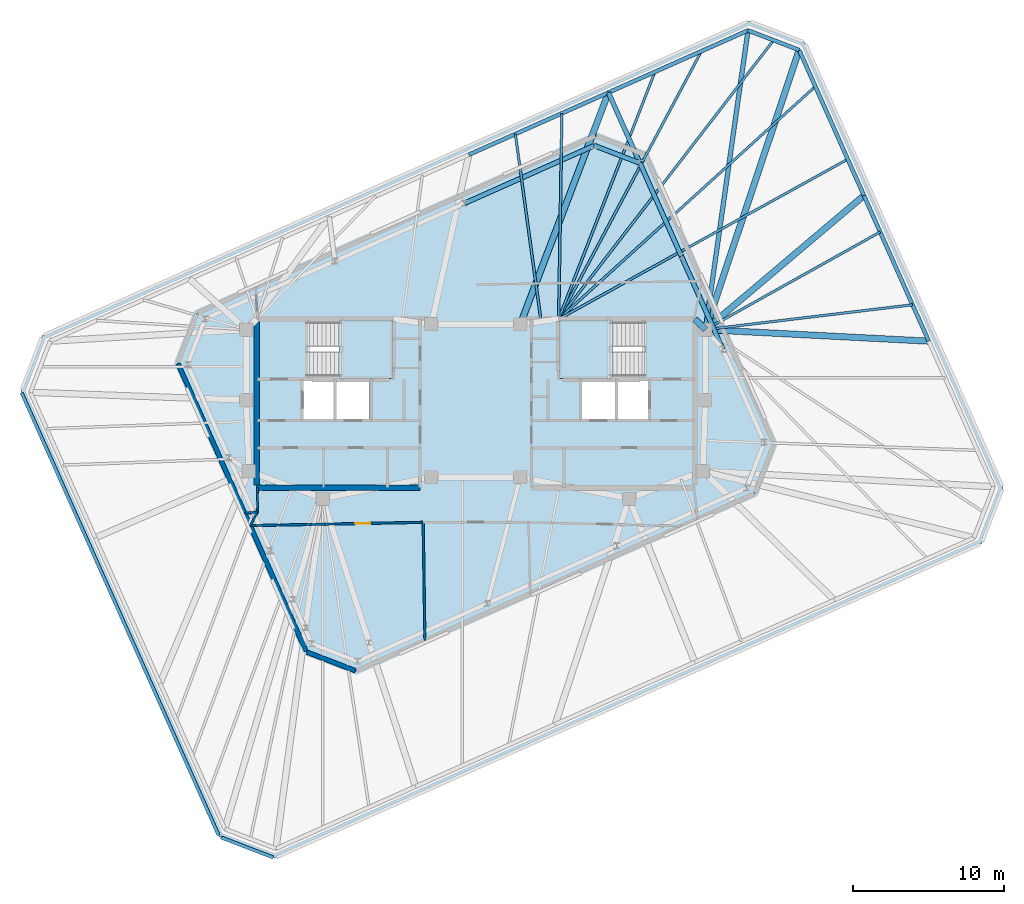
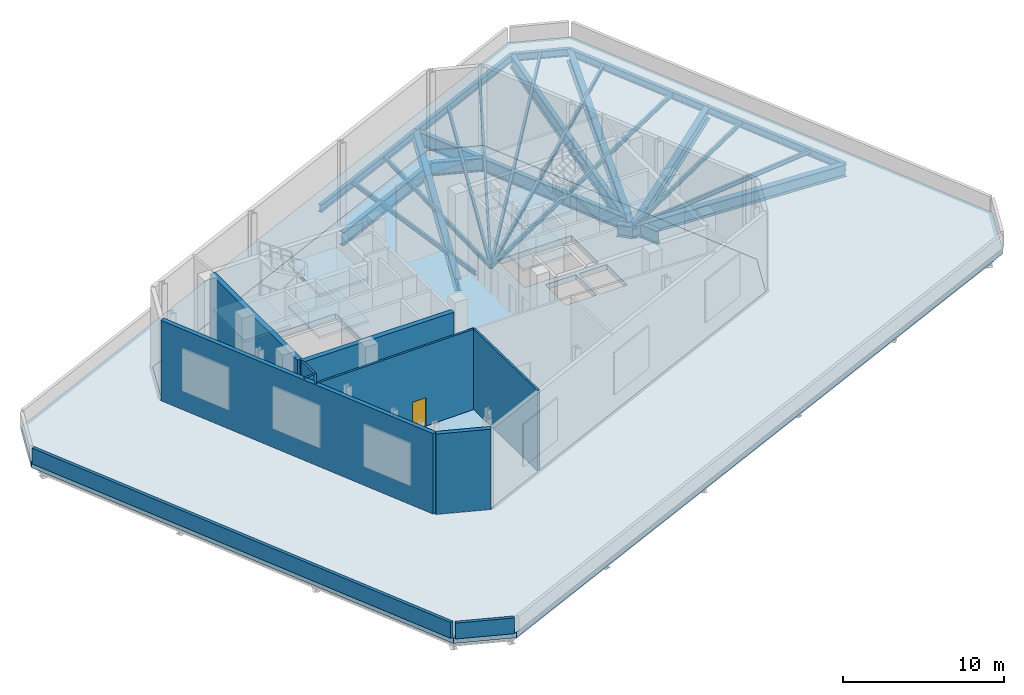
# One storey, part 6 of 10: 25 beams, 11 walls, 8 slabs, 1 door, 1 opening, 2 elements without a shape of their own.
"""IFC4 building model written with IfcOpenShell, lengths in metres."""

from ifc_helpers import new_model, si_unit, direction, frame, frame_2d, origin, origin_2d, place, context, subcontext, project, spatial, polyline, rectangle, i_section, outline, extrude, material, layer, layer_set, material_profile, profile_set, type_object, element, fill, aggregate, save


model = new_model("IFC4")

# Units and contexts
model_context = context("Model", 3, precision=1e-05, world=origin(), true_north=direction((0.0, 1.0)))
body_context = subcontext(model_context, "Body", "Model", "MODEL_VIEW")
ifc_project = project(units=[si_unit("LENGTHUNIT", "METRE"), si_unit("AREAUNIT", "SQUARE_METRE"), si_unit("VOLUMEUNIT", "CUBIC_METRE"), si_unit("PLANEANGLEUNIT", "RADIAN"), si_unit("MASSUNIT", "GRAM", prefix="KILO")], contexts=[model_context])

# Site, building, storey
site_placement = place(None, origin())
site = spatial("IfcSite", under=ifc_project, at=site_placement, CompositionType="ELEMENT")
building_placement = place(site_placement, origin())
building = spatial("IfcBuilding", under=site, at=building_placement, Name="Menara Jurai Vektor", CompositionType="ELEMENT")
storey_placement = place(building_placement, frame((0.0, 0.0, 305.550048828125)))
storey = spatial("IfcBuildingStorey", under=building, at=storey_placement, Name="L82", CompositionType="ELEMENT", Elevation=305.550048828125)

# Beams
ifc_material_1 = material(Name="Steel S460", Category="steel")
ifc_material_profile_1 = material_profile(ifc_material_1, i_section(OverallWidth=0.30908203125, OverallDepth=1.035888671875, WebThickness=0.030029296875, FlangeThickness=0.053955078125, FilletRadius=0.030029296875, at=origin_2d()), Name="UKB 1016x305x487")
ifc_profile_set_1 = profile_set([ifc_material_profile_1], Name="Steel S460")
beam_type_1 = type_object("IfcBeamType", Name="STR-BM-TR1016", PredefinedType="BEAM", material=ifc_profile_set_1)
beam_1_placement = place(storey_placement, frame((18.07958984375, 24.777099609375, -0.923095703125), z_axis=(-0.140932755913, -0.990019170678, 0.0), x_axis=(0.990019170678, -0.140932755913, 0.0)))
element("IfcBeam", 1, at=beam_1_placement, inside=storey, type_object=beam_type_1, Name="Drum Transfer Girder L82-N1", PredefinedType="BEAM", context=body_context, shape_type="SweptSolid", body=[
    extrude(i_section(OverallWidth=0.30908203125, OverallDepth=1.035888671875, WebThickness=0.030029296875, FlangeThickness=0.053955078125, FilletRadius=0.030029296875, at=origin_2d()), origin(), (0.0, 0.0, 1.0), 20.07763671875),
])
beam_2_placement = place(storey_placement, frame((16.40380859375, 3.60009765625, -0.923095703125), z_axis=(-0.40674431916, 0.913542039991, 0.0), x_axis=(-0.913542039991, -0.40674431916, 0.0)))
element("IfcBeam", 2, at=beam_2_placement, inside=storey, type_object=beam_type_1, Name="Drum Base Transfer Ring Girder 06", PredefinedType="BEAM", context=body_context, shape_type="SweptSolid", body=[
    extrude(i_section(OverallWidth=0.30908203125, OverallDepth=1.035888671875, WebThickness=0.030029296875, FlangeThickness=0.053955078125, FilletRadius=0.030029296875, at=origin_2d()), origin(), (0.0, 0.0, 1.0), 6.766357421875),
])
beam_3_placement = place(storey_placement, frame((13.651611328125, 9.781494140625, -0.923095703125), z_axis=(-0.406717506727, 0.913553977454, 0.0), x_axis=(-0.913553977454, -0.406717506727, 0.0)))
element("IfcBeam", 3, at=beam_3_placement, inside=storey, type_object=beam_type_1, Name="Drum Base Transfer Ring Girder 07", PredefinedType="BEAM", context=body_context, shape_type="SweptSolid", body=[
    extrude(i_section(OverallWidth=0.30908203125, OverallDepth=1.035888671875, WebThickness=0.030029296875, FlangeThickness=0.053955078125, FilletRadius=0.030029296875, at=origin_2d()), origin(), (0.0, 0.0, 1.0), 6.766845703125),
])
beam_4_placement = place(storey_placement, frame((10.8994140625, 15.96337890625, -0.923095703125), z_axis=(-0.933593003906, 0.358335182557, 0.0), x_axis=(-0.358335182557, -0.933593003906, 0.0)))
element("IfcBeam", 4, at=beam_4_placement, inside=storey, type_object=beam_type_1, Name="Drum Base Transfer Ring Girder 08", PredefinedType="BEAM", context=body_context, shape_type="SweptSolid", body=[
    extrude(i_section(OverallWidth=0.30908203125, OverallDepth=1.035888671875, WebThickness=0.030029296875, FlangeThickness=0.053955078125, FilletRadius=0.030029296875, at=origin_2d()), origin(), (0.0, 0.0, 1.0), 3.252685546875),
])
beam_5_placement = place(storey_placement, frame((10.8994140625, 15.96337890625, -0.923095703125), z_axis=(-0.407987317163, 0.912987595224, 0.0), x_axis=(-0.912987595224, -0.407987317163, 0.0)))
element("IfcBeam", 5, at=beam_5_placement, inside=storey, type_object=beam_type_1, Name="Drum Transfer Girder 08", PredefinedType="BEAM", context=body_context, shape_type="SweptSolid", body=[
    extrude(i_section(OverallWidth=0.30908203125, OverallDepth=1.035888671875, WebThickness=0.030029296875, FlangeThickness=0.053955078125, FilletRadius=0.030029296875, at=origin_2d()), origin(), (0.0, 0.0, 1.0), 5.13134765625),
])
beam_6_placement = place(storey_placement, frame((7.86279296875, 17.12890625, -0.923095703125), z_axis=(-0.913542400823, -0.406743508735, 0.0), x_axis=(0.406743508735, -0.913542400823, 0.0)))
element("IfcBeam", 6, at=beam_6_placement, inside=storey, type_object=beam_type_1, Name="Drum Base Transfer Ring Girder 09", PredefinedType="BEAM", context=body_context, shape_type="SweptSolid", body=[
    extrude(i_section(OverallWidth=0.30908203125, OverallDepth=1.035888671875, WebThickness=0.030029296875, FlangeThickness=0.053955078125, FilletRadius=0.030029296875, at=origin_2d()), origin(), (0.0, 0.0, 1.0), 9.433349609375),
])
ifc_material_profile_2 = material_profile(ifc_material_1, i_section(OverallWidth=0.4208984375, OverallDepth=0.9208984375, WebThickness=0.02099609375, FlangeThickness=0.037109375, FilletRadius=0.02392578125, at=origin_2d()), Name="UKB 914x419x388")
ifc_profile_set_2 = profile_set([ifc_material_profile_2], Name="Steel S460")
beam_type_2 = type_object("IfcBeamType", Name="STR-BM-TR914", PredefinedType="BEAM", material=ifc_profile_set_2)
beam_7_placement = place(storey_placement, frame((14.56005859375, 5.60009765625, -0.865478515625), z_axis=(0.701871936926, -0.712303154672, 0.0), x_axis=(0.712303154672, 0.701871936926, 0.0)))
element("IfcBeam", 7, at=beam_7_placement, inside=storey, type_object=beam_type_2, Name="Core Ring Header Girder L82-CHE-N2", PredefinedType="BEAM", context=body_context, shape_type="SweptSolid", body=[
    extrude(i_section(OverallWidth=0.4208984375, OverallDepth=0.9208984375, WebThickness=0.02099609375, FlangeThickness=0.037109375, FilletRadius=0.02392578125, at=origin_2d()), origin(), (0.0, 0.0, 1.0), 0.98291015625),
])
beam_8_placement = place(storey_placement, frame((30.086181640625, 4.13330078125, -0.865478515625), z_axis=(-0.998667716832, 0.051602241782, 0.0), x_axis=(-0.051602241782, -0.998667716832, 0.0)))
element("IfcBeam", 8, at=beam_8_placement, inside=storey, type_object=beam_type_2, Name="Drum Transfer Girder L82-E2", PredefinedType="BEAM", context=body_context, shape_type="SweptSolid", body=[
    extrude(i_section(OverallWidth=0.4208984375, OverallDepth=0.9208984375, WebThickness=0.02099609375, FlangeThickness=0.037109375, FilletRadius=0.02392578125, at=origin_2d()), origin(), (0.0, 0.0, 1.0), 14.85595703125),
])
beam_9_placement = place(storey_placement, frame((25.781005859375, 13.80322265625, -0.865478515625), z_axis=(-0.763655500673, -0.6456239434, 0.0), x_axis=(0.6456239434, -0.763655500673, 0.0)))
element("IfcBeam", 9, at=beam_9_placement, inside=storey, type_object=beam_type_2, Name="Drum Transfer Girder L82-E3", PredefinedType="BEAM", context=body_context, shape_type="SweptSolid", body=[
    extrude(i_section(OverallWidth=0.4208984375, OverallDepth=0.9208984375, WebThickness=0.02099609375, FlangeThickness=0.037109375, FilletRadius=0.02392578125, at=origin_2d()), origin(), (0.0, 0.0, 1.0), 13.790283203125),
])
beam_10_placement = place(storey_placement, frame((21.4755859375, 23.473388671875, -0.865478515625), z_axis=(-0.317808893183, -0.948154790851, 0.0), x_axis=(0.948154790851, -0.317808893183, 0.0)))
element("IfcBeam", 10, at=beam_10_placement, inside=storey, type_object=beam_type_2, Name="Drum Transfer Girder L82-E4", PredefinedType="BEAM", context=body_context, shape_type="SweptSolid", body=[
    extrude(i_section(OverallWidth=0.4208984375, OverallDepth=0.9208984375, WebThickness=0.02099609375, FlangeThickness=0.037109375, FilletRadius=0.02392578125, at=origin_2d()), origin(), (0.0, 0.0, 1.0), 19.589111328125),
])
beam_11_placement = place(storey_placement, frame((8.805908203125, 20.648193359375, -0.865478515625), z_axis=(-0.355464051758, -0.934689952823, 0.0), x_axis=(0.934689952823, -0.355464051758, 0.0)))
element("IfcBeam", 11, at=beam_11_placement, inside=storey, type_object=beam_type_2, Name="Drum Transfer Girder L82-N2", PredefinedType="BEAM", context=body_context, shape_type="SweptSolid", body=[
    extrude(i_section(OverallWidth=0.4208984375, OverallDepth=0.9208984375, WebThickness=0.02099609375, FlangeThickness=0.037109375, FilletRadius=0.02392578125, at=origin_2d()), origin(), (0.0, 0.0, 1.0), 16.47412109375),
])
ifc_material_2 = material(Name="Steel S355", Category="steel")
ifc_material_profile_3 = material_profile(ifc_material_2, i_section(OverallWidth=0.1650390625, OverallDepth=0.330078125, WebThickness=0.009033203125, FlangeThickness=0.013916015625, at=origin_2d()), Name="PG 330x165x46")
ifc_profile_set_3 = profile_set([ifc_material_profile_3], Name="Steel S355")
beam_type_3 = type_object("IfcBeamType", Name="STR-JS-330", PredefinedType="JOIST", material=ifc_profile_set_3)
beam_12_placement = place(storey_placement, frame((29.010009765625, 6.55078125, -0.570068359375), z_axis=(-0.992879589053, -0.119122296999, 0.0), x_axis=(0.119122296999, -0.992879589053, 0.0)))
element("IfcBeam", 12, at=beam_12_placement, inside=storey, type_object=beam_type_3, Name="Radial Secondary Floor Joist L82-JS10", PredefinedType="JOIST", context=body_context, shape_type="SweptSolid", body=[
    extrude(i_section(OverallWidth=0.1650390625, OverallDepth=0.330078125, WebThickness=0.009033203125, FlangeThickness=0.013916015625, at=origin_2d()), origin(), (0.0, 0.0, 1.0), 13.858642578125),
])
beam_13_placement = place(storey_placement, frame((26.857177734375, 11.3857421875, -0.570068359375), z_axis=(-0.872960269613, -0.487791315705, 0.0), x_axis=(0.487791315705, -0.872960269613, 0.0)))
element("IfcBeam", 13, at=beam_13_placement, inside=storey, type_object=beam_type_3, Name="Radial Secondary Floor Joist L82-JS11", PredefinedType="JOIST", context=body_context, shape_type="SweptSolid", body=[
    extrude(i_section(OverallWidth=0.1650390625, OverallDepth=0.330078125, WebThickness=0.009033203125, FlangeThickness=0.013916015625, at=origin_2d()), origin(), (0.0, 0.0, 1.0), 13.29638671875),
])
beam_14_placement = place(storey_placement, frame((24.70458984375, 16.220703125, -0.570068359375), z_axis=(-0.87509599458, -0.483949377797, 0.0), x_axis=(0.483949377797, -0.87509599458, 0.0)))
element("IfcBeam", 14, at=beam_14_placement, inside=storey, type_object=beam_type_3, Name="Radial Secondary Floor Joist L82-JS12", PredefinedType="JOIST", context=body_context, shape_type="SweptSolid", body=[
    extrude(i_section(OverallWidth=0.1650390625, OverallDepth=0.330078125, WebThickness=0.009033203125, FlangeThickness=0.013916015625, at=origin_2d()), origin(), (0.0, 0.0, 1.0), 21.94580078125),
])
beam_15_placement = place(storey_placement, frame((22.552001953125, 21.055908203125, -0.570068359375), z_axis=(-0.74093432875, -0.67157748658, 0.0), x_axis=(0.67157748658, -0.74093432875, 0.0)))
element("IfcBeam", 15, at=beam_15_placement, inside=storey, type_object=beam_type_3, Name="Radial Secondary Floor Joist L82-JS13", PredefinedType="JOIST", context=body_context, shape_type="SweptSolid", body=[
    extrude(i_section(OverallWidth=0.1650390625, OverallDepth=0.330078125, WebThickness=0.009033203125, FlangeThickness=0.013916015625, at=origin_2d()), origin(), (0.0, 0.0, 1.0), 23.01416015625),
])
beam_16_placement = place(storey_placement, frame((19.777587890625, 24.125244140625, -0.570068359375), z_axis=(-0.610448519134, -0.792055935832, 0.0), x_axis=(0.792055935832, -0.610448519134, 0.0)))
element("IfcBeam", 16, at=beam_16_placement, inside=storey, type_object=beam_type_3, Name="Radial Secondary Floor Joist L82-JS14", PredefinedType="JOIST", context=body_context, shape_type="SweptSolid", body=[
    extrude(i_section(OverallWidth=0.1650390625, OverallDepth=0.330078125, WebThickness=0.009033203125, FlangeThickness=0.013916015625, at=origin_2d()), origin(), (0.0, 0.0, 1.0), 23.388671875),
])
beam_17_placement = place(storey_placement, frame((14.98828125, 23.400634765625, -0.570068359375), z_axis=(-0.470382173413, -0.882462809945, 0.0), x_axis=(0.882462809945, -0.470382173413, 0.0)))
element("IfcBeam", 17, at=beam_17_placement, inside=storey, type_object=beam_type_3, Name="Radial Secondary Floor Joist L82-JS15", PredefinedType="JOIST", context=body_context, shape_type="SweptSolid", body=[
    extrude(i_section(OverallWidth=0.1650390625, OverallDepth=0.330078125, WebThickness=0.009033203125, FlangeThickness=0.013916015625, at=origin_2d()), origin(), (0.0, 0.0, 1.0), 20.17138671875),
])
beam_18_placement = place(storey_placement, frame((11.897216796875, 22.0244140625, -0.570068359375), z_axis=(-0.36293816309, -0.931813226872, 0.0), x_axis=(0.931813226872, -0.36293816309, 0.0)))
element("IfcBeam", 18, at=beam_18_placement, inside=storey, type_object=beam_type_3, Name="Radial Secondary Floor Joist L82-JS16", PredefinedType="JOIST", context=body_context, shape_type="SweptSolid", body=[
    extrude(i_section(OverallWidth=0.1650390625, OverallDepth=0.330078125, WebThickness=0.009033203125, FlangeThickness=0.013916015625, at=origin_2d()), origin(), (0.0, 0.0, 1.0), 17.626220703125),
])
beam_19_placement = place(storey_placement, frame((5.71484375, 19.27197265625, -0.570068359375), z_axis=(-0.01571234584, -0.999876553475, 0.0), x_axis=(0.999876553475, -0.01571234584, 0.0)))
element("IfcBeam", 19, at=beam_19_placement, inside=storey, type_object=beam_type_3, Name="Radial Secondary Floor Joist L82-JS17", PredefinedType="JOIST", context=body_context, shape_type="SweptSolid", body=[
    extrude(i_section(OverallWidth=0.1650390625, OverallDepth=0.330078125, WebThickness=0.009033203125, FlangeThickness=0.013916015625, at=origin_2d()), origin(), (0.0, 0.0, 1.0), 13.673583984375),
])
beam_20_placement = place(storey_placement, frame((2.62353515625, 17.8955078125, -0.570068359375), z_axis=(0.13599011119, -0.990710194587, 0.0), x_axis=(0.990710194587, 0.13599011119, 0.0)))
element("IfcBeam", 20, at=beam_20_placement, inside=storey, type_object=beam_type_3, Name="Radial Secondary Floor Joist L82-JS18", PredefinedType="JOIST", context=body_context, shape_type="SweptSolid", body=[
    extrude(i_section(OverallWidth=0.1650390625, OverallDepth=0.330078125, WebThickness=0.009033203125, FlangeThickness=0.013916015625, at=origin_2d()), origin(), (0.0, 0.0, 1.0), 12.572265625),
])
ifc_material_profile_4 = material_profile(ifc_material_2, i_section(OverallWidth=0.260009765625, OverallDepth=0.570068359375, WebThickness=0.013916015625, FlangeThickness=0.02392578125, at=origin_2d()), Name="PG 570x260x145")
ifc_profile_set_4 = profile_set([ifc_material_profile_4], Name="Steel S355")
beam_type_4 = type_object("IfcBeamType", Name="STR-SP-570", PredefinedType="SPANDREL", material=ifc_profile_set_4)
beam_21_placement = place(storey_placement, frame((30.086181640625, 4.13330078125, -0.68994140625), z_axis=(-0.406724751578, 0.913550751986, 0.0), x_axis=(-0.913550751986, -0.406724751578, 0.0)))
element("IfcBeam", 21, at=beam_21_placement, inside=storey, type_object=beam_type_4, Name="Main Roof Perimeter Spandrel L82-08", PredefinedType="SPANDREL", context=body_context, shape_type="SweptSolid", body=[
    extrude(i_section(OverallWidth=0.260009765625, OverallDepth=0.570068359375, WebThickness=0.013916015625, FlangeThickness=0.02392578125, at=origin_2d()), origin(), (0.0, 0.0, 1.0), 10.5849609375),
])
beam_22_placement = place(storey_placement, frame((25.781005859375, 13.80322265625, -0.68994140625), z_axis=(-0.40673543049, 0.91354599752, 0.0), x_axis=(-0.91354599752, -0.40673543049, 0.0)))
element("IfcBeam", 22, at=beam_22_placement, inside=storey, type_object=beam_type_4, Name="Main Roof Perimeter Spandrel L82-09", PredefinedType="SPANDREL", context=body_context, shape_type="SweptSolid", body=[
    extrude(i_section(OverallWidth=0.260009765625, OverallDepth=0.570068359375, WebThickness=0.013916015625, FlangeThickness=0.02392578125, at=origin_2d()), origin(), (0.0, 0.0, 1.0), 10.585205078125),
])
beam_23_placement = place(storey_placement, frame((21.4755859375, 23.473388671875, -0.68994140625), z_axis=(-0.933570293083, 0.358394346877, 0.0), x_axis=(-0.358394346877, -0.933570293083, 0.0)))
element("IfcBeam", 23, at=beam_23_placement, inside=storey, type_object=beam_type_4, Name="Main Roof Perimeter Spandrel L82-10", PredefinedType="SPANDREL", context=body_context, shape_type="SweptSolid", body=[
    extrude(i_section(OverallWidth=0.260009765625, OverallDepth=0.570068359375, WebThickness=0.013916015625, FlangeThickness=0.02392578125, at=origin_2d()), origin(), (0.0, 0.0, 1.0), 3.6376953125),
])
beam_24_placement = place(storey_placement, frame((18.07958984375, 24.777099609375, -0.68994140625), z_axis=(-0.913545561407, -0.406736410017, 0.0), x_axis=(0.406736410017, -0.913545561407, 0.0)))
element("IfcBeam", 24, at=beam_24_placement, inside=storey, type_object=beam_type_4, Name="Main Roof Perimeter Spandrel L82-11", PredefinedType="SPANDREL", context=body_context, shape_type="SweptSolid", body=[
    extrude(i_section(OverallWidth=0.260009765625, OverallDepth=0.570068359375, WebThickness=0.013916015625, FlangeThickness=0.02392578125, at=origin_2d()), origin(), (0.0, 0.0, 1.0), 10.1513671875),
])
beam_25_placement = place(storey_placement, frame((8.805908203125, 20.648193359375, -0.68994140625), z_axis=(-0.913541582548, -0.406745346568, 0.0), x_axis=(0.406745346568, -0.913541582548, 0.0)))
element("IfcBeam", 25, at=beam_25_placement, inside=storey, type_object=beam_type_4, Name="Main Roof Perimeter Spandrel L82-12", PredefinedType="SPANDREL", context=body_context, shape_type="SweptSolid", body=[
    extrude(i_section(OverallWidth=0.260009765625, OverallDepth=0.570068359375, WebThickness=0.013916015625, FlangeThickness=0.02392578125, at=origin_2d()), origin(), (0.0, 0.0, 1.0), 10.151123046875),
])

# Stair, slabs
ifc_material_3 = material(Name="Concrete C40/50", Category="concrete")
stair_type = type_object("IfcStairType", Name="STAIR-DOGLEG-1500", PredefinedType="HALF_TURN_STAIR", material=ifc_material_3)
stair_1_placement = place(storey_placement, origin())
stair_1 = element("IfcStair", 26, at=stair_1_placement, inside=storey, type_object=stair_type, Name="Protected Exit Stair ST1 L82", PredefinedType="HALF_TURN_STAIR")
ifc_layer_1 = layer(ifc_material_3, 0.199951171875)
ifc_layer_set_1 = layer_set([ifc_layer_1], Name="Concrete C40/50")
slab_type_1 = type_object("IfcSlabType", Name="STAIR-LANDING-200", PredefinedType="LANDING", material=ifc_layer_set_1)
slab_1_placement = place(storey_placement, frame((0.0, 0.0, 1.412353515625)))
slab_1 = element("IfcSlab", 27, at=slab_1_placement, type_object=slab_type_1, Name="ST1 landing 1", PredefinedType="LANDING", context=body_context, shape_type="SweptSolid", body=[
    extrude(outline(polyline([(-9.080078125, 1.64990234375), (-5.550048828125, 1.64990234375), (-5.550048828125, 5.550048828125), (-9.080078125, 5.550048828125), (-9.080078125, 1.64990234375)])), origin(), (0.0, 0.0, 1.0), 0.2001953125),
])
slab_2_placement = place(storey_placement, frame((0.0, 0.0, 3.02490234375)))
slab_2 = element("IfcSlab", 28, at=slab_2_placement, type_object=slab_type_1, Name="ST1 landing 2", PredefinedType="LANDING", context=body_context, shape_type="SweptSolid", body=[
    extrude(outline(polyline([(-14.449951171875, 1.64990234375), (-11.10009765625, 1.64990234375), (-11.10009765625, 5.550048828125), (-14.449951171875, 5.550048828125), (-14.449951171875, 1.64990234375)])), origin(), (0.0, 0.0, 1.0), 0.199951171875),
])
slab_3_placement = place(storey_placement, frame((0.0, 0.0, 4.637451171875)))
slab_3 = element("IfcSlab", 29, at=slab_3_placement, type_object=slab_type_1, Name="ST1 landing 3", PredefinedType="LANDING", context=body_context, shape_type="SweptSolid", body=[
    extrude(outline(polyline([(-9.080078125, 1.64990234375), (-5.550048828125, 1.64990234375), (-5.550048828125, 5.550048828125), (-9.080078125, 5.550048828125), (-9.080078125, 1.64990234375)])), origin(), (0.0, 0.0, 1.0), 0.199951171875),
])
aggregate(stair_1, [slab_1, slab_2, slab_3])

stair_2_placement = place(storey_placement, origin())
stair_2 = element("IfcStair", 30, at=stair_2_placement, inside=storey, type_object=stair_type, Name="Protected Exit Stair ST2 L82", PredefinedType="HALF_TURN_STAIR")
slab_4_placement = place(storey_placement, frame((0.0, 0.0, 1.412353515625)))
slab_4 = element("IfcSlab", 31, at=slab_4_placement, type_object=slab_type_1, Name="ST2 landing 1", PredefinedType="LANDING", context=body_context, shape_type="SweptSolid", body=[
    extrude(outline(polyline([(5.550048828125, 1.64990234375), (9.080078125, 1.64990234375), (9.080078125, 5.550048828125), (5.550048828125, 5.550048828125), (5.550048828125, 1.64990234375)])), origin(), (0.0, 0.0, 1.0), 0.2001953125),
])
slab_5_placement = place(storey_placement, frame((0.0, 0.0, 3.02490234375)))
slab_5 = element("IfcSlab", 32, at=slab_5_placement, type_object=slab_type_1, Name="ST2 landing 2", PredefinedType="LANDING", context=body_context, shape_type="SweptSolid", body=[
    extrude(outline(polyline([(11.10009765625, 1.64990234375), (14.449951171875, 1.64990234375), (14.449951171875, 5.550048828125), (11.10009765625, 5.550048828125), (11.10009765625, 1.64990234375)])), origin(), (0.0, 0.0, 1.0), 0.199951171875),
])
slab_6_placement = place(storey_placement, frame((0.0, 0.0, 4.637451171875)))
slab_6 = element("IfcSlab", 33, at=slab_6_placement, type_object=slab_type_1, Name="ST2 landing 3", PredefinedType="LANDING", context=body_context, shape_type="SweptSolid", body=[
    extrude(outline(polyline([(5.550048828125, 1.64990234375), (9.080078125, 1.64990234375), (9.080078125, 5.550048828125), (5.550048828125, 5.550048828125), (5.550048828125, 1.64990234375)])), origin(), (0.0, 0.0, 1.0), 0.199951171875),
])
aggregate(stair_2, [slab_4, slab_5, slab_6])

# Slabs
ifc_layer_2 = layer(ifc_material_3, 0.25)
ifc_layer_set_2 = layer_set([ifc_layer_2], Name="Concrete C40/50")
slab_type_2 = type_object("IfcSlabType", Name="STR-ROOF-MAIN250", PredefinedType="ROOF", material=ifc_layer_set_2)
slab_7_placement = place(storey_placement, frame((0.0, 0.0, -0.405029296875)))
element("IfcSlab", 34, at=slab_7_placement, inside=storey, type_object=slab_type_2, Name="Block 5 Main Maintenance Roof Slab", PredefinedType="ROOF", context=body_context, shape_type="SweptSolid", body=[
    extrude(outline(polyline([(-13.35009765625, -30.21044921875), (33.606201171875, -9.30419921875), (35.025146484375, -5.607421875), (21.846923828125, 23.991455078125), (18.150146484375, 25.410400390625), (-28.80615234375, 4.504150390625), (-30.22509765625, 0.807373046875), (-17.046875, -28.79150390625), (-13.35009765625, -30.21044921875)]), holes=[polyline([(-7.958740234375, -17.773681640625), (-11.259521484375, -16.5068359375), (-19.801025390625, 2.677734375), (-18.533935546875, 5.978515625), (7.958740234375, 17.773681640625), (11.259521484375, 16.5068359375), (19.801025390625, -2.677734375), (18.533935546875, -5.978515625), (-7.958740234375, -17.773681640625)])]), origin(), (0.0, 0.0, 1.0), 0.405029296875),
])
ifc_material_4 = material(Name="Concrete C50/60", Category="concrete")
ifc_layer_3 = layer(ifc_material_4, 0.405029296875)
ifc_layer_set_3 = layer_set([ifc_layer_3], Name="Concrete C50/60")
slab_type_3 = type_object("IfcSlabType", Name="STR-SLAB-TR405", PredefinedType="FLOOR", material=ifc_layer_set_3)
slab_8_placement = place(storey_placement, frame((0.0, 0.0, -0.405029296875)))
element("IfcSlab", 35, at=slab_8_placement, inside=storey, type_object=slab_type_3, Name="L82 Crown Plant Drum Floor Slab", PredefinedType="FLOOR", context=body_context, shape_type="SweptSolid", body=[
    extrude(outline(polyline([(-7.958740234375, -17.773681640625), (18.533935546875, -5.978515625), (19.801025390625, -2.677734375), (11.259521484375, 16.5068359375), (7.958740234375, 17.773681640625), (-18.533935546875, 5.978515625), (-19.801025390625, 2.677734375), (-11.259521484375, -16.5068359375), (-7.958740234375, -17.773681640625)]), holes=[polyline([(-11.10009765625, 1.89990234375), (-11.10009765625, 5.300048828125), (-5.800048828125, 5.300048828125), (-5.800048828125, 1.89990234375), (-11.10009765625, 1.89990234375)]), polyline([(5.800048828125, 1.89990234375), (5.800048828125, 5.300048828125), (11.10009765625, 5.300048828125), (11.10009765625, 1.89990234375), (5.800048828125, 1.89990234375)]), polyline([(-11.449951171875, -1.050048828125), (-11.449951171875, 1.5), (-9.449951171875, 1.5), (-9.449951171875, -1.050048828125), (-11.449951171875, -1.050048828125)]), polyline([(9.449951171875, -1.050048828125), (9.449951171875, 1.5), (11.449951171875, 1.5), (11.449951171875, -1.050048828125), (9.449951171875, -1.050048828125)]), polyline([(-9.25, -1.050048828125), (-9.25, 1.5), (-7.050048828125, 1.5), (-7.050048828125, -1.050048828125), (-9.25, -1.050048828125)]), polyline([(7.050048828125, -1.050048828125), (7.050048828125, 1.5), (9.25, 1.5), (9.25, -1.050048828125), (7.050048828125, -1.050048828125)])]), origin(), (0.0, 0.0, 1.0), 0.405029296875),
])

# Walls
ifc_material_5 = material(Name="Insulated Pale Aluminium Spandrel Wall", Category="aluminium")
ifc_layer_4 = layer(ifc_material_5, 0.300048828125)
ifc_layer_set_4 = layer_set([ifc_layer_4], Name="Insulated Pale Aluminium Spandrel Wall")
wall_type_1 = type_object("IfcWallType", Name="ENV-WALL-EXT300", PredefinedType="STANDARD", material=ifc_layer_set_4)
wall_1_placement = place(storey_placement, frame((-19.78271484375, 2.63671875, 0.0), z_axis=(0.0, 0.0, 1.0), x_axis=(0.406736369999, -0.913545579224, 0.0)))
element("IfcWall", 36, at=wall_1_placement, inside=storey, type_object=wall_type_1, Name="Crown Plant Drum Enclosure Wall 07", PredefinedType="STANDARD", context=body_context, shape_type="SweptSolid", body=[
    extrude(rectangle(XDim=20.91015625, YDim=0.300048828125, at=frame_2d((10.455078125, 0.0))), origin(), (0.0, 0.0, 1.0), 6.099853515625),
])
wall_2_placement = place(storey_placement, frame((-11.217529296875, -16.52294921875, 0.0), z_axis=(0.0, 0.0, 1.0), x_axis=(0.933599212806, -0.358319005704, 0.0)))
element("IfcWall", 37, at=wall_2_placement, inside=storey, type_object=wall_type_1, Name="Crown Plant Drum Enclosure Wall 08", PredefinedType="STANDARD", context=body_context, shape_type="SweptSolid", body=[
    extrude(rectangle(XDim=3.445556640625, YDim=0.300048828125, at=frame_2d((1.72265625, 0.0))), origin(), (0.0, 0.0, 1.0), 6.099853515625),
])
ifc_layer_5 = layer(ifc_material_3, 0.219970703125)
ifc_layer_set_5 = layer_set([ifc_layer_5], Name="Concrete C40/50")
wall_type_2 = type_object("IfcWallType", Name="ENV-WALL-PARAPET220", PredefinedType="PARAPET", material=ifc_layer_set_5)
wall_3_placement = place(storey_placement, frame((-30.176025390625, 0.697021484375, 0.0), z_axis=(0.0, 0.0, 1.0), x_axis=(0.406735007391, -0.913546185895, 0.0)))
element("IfcWall", 38, at=wall_3_placement, inside=storey, type_object=wall_type_2, Name="Roof Parapet Wall L82-BLK5-07", PredefinedType="PARAPET", context=body_context, shape_type="SweptSolid", body=[
    extrude(rectangle(XDim=32.158203125, YDim=0.219970703125, at=frame_2d((16.0791015625, 0.0))), origin(), (0.0, 0.0, 1.0), 1.199951171875),
])
wall_4_placement = place(storey_placement, frame((-16.933837890625, -28.834716796875, 0.0), z_axis=(0.0, 0.0, 1.0), x_axis=(0.933580670863, -0.35836731295, 0.0)))
element("IfcWall", 39, at=wall_4_placement, inside=storey, type_object=wall_type_2, Name="Roof Parapet Wall L82-BLK5-08", PredefinedType="PARAPET", context=body_context, shape_type="SweptSolid", body=[
    extrude(rectangle(XDim=3.717529296875, YDim=0.219970703125, at=frame_2d((1.85888671875, 0.0))), origin(), (0.0, 0.0, 1.0), 1.199951171875),
])
ifc_material_6 = material(Name="Gypsum Fireboard Partition", Category="gypsum")
ifc_layer_6 = layer(ifc_material_6, 0.14990234375)
ifc_layer_set_6 = layer_set([ifc_layer_6], Name="Gypsum Fireboard Partition")
wall_type_3 = type_object("IfcWallType", Name="INT-WALL-CORR-150", PredefinedType="PARTITIONING", material=ifc_layer_set_6)
wall_5_placement = place(storey_placement, frame((-14.5, -7.199951171875, 0.0), z_axis=(0.0, 0.0, 1.0), x_axis=(0.0, 1.0, 0.0)))
element("IfcWall", 40, at=wall_5_placement, inside=storey, type_object=wall_type_3, Name="Interior Wall IW-150 L82", PredefinedType="PARTITIONING", context=body_context, shape_type="SweptSolid", body=[
    extrude(rectangle(XDim=1.599853515625, YDim=0.14990234375, at=frame_2d((0.7998046875, 0.0))), origin(), (0.0, 0.0, 1.0), 6.099853515625),
])
wall_6_placement = place(storey_placement, frame((-14.99365234375, -8.119873046875, 0.0), z_axis=(0.0, 0.0, 1.0), x_axis=(0.472844275985, 0.881146009847, 0.0)))
element("IfcWall", 41, at=wall_6_placement, inside=storey, type_object=wall_type_3, Name="Interior Wall IW-150 L82", PredefinedType="PARTITIONING", context=body_context, shape_type="SweptSolid", body=[
    extrude(rectangle(XDim=1.0439453125, YDim=0.14990234375, at=frame_2d((0.52197265625, 0.0))), origin(), (0.0, 0.0, 1.0), 6.099853515625),
])

# Wall, opening, door
wall_7_placement = place(storey_placement, frame((-14.99365234375, -8.119873046875, 0.0), z_axis=(0.0, 0.0, 1.0), x_axis=(0.99981691014, 0.019134947025, 0.0)))
wall_7 = element("IfcWall", 42, at=wall_7_placement, inside=storey, type_object=wall_type_3, Name="Interior Wall IW-150 L82", PredefinedType="PARTITIONING", context=body_context, shape_type="SweptSolid", body=[
    extrude(rectangle(XDim=11.495849609375, YDim=0.14990234375, at=frame_2d((5.748046875, 0.0))), origin(), (0.0, 0.0, 1.0), 6.099853515625),
])
opening_placement = place(wall_7_placement, frame((6.972412109375, 0.0, 0.0)))
opening = element("IfcOpeningElement", 43, at=opening_placement, cuts=wall_7, Name="Opening D82-11", PredefinedType="OPENING", context=body_context, shape_type="SweptSolid", body=[
    extrude(rectangle(XDim=1.0, YDim=2.14990234375, at=frame_2d((0.5, 1.074951171875))), frame((0.0, 0.0849609375, 0.0), z_axis=(0.0, -1.0, 0.0), x_axis=(1.0, 0.0, 0.0)), (0.0, 0.0, 1.0), 0.169921875),
])
ifc_material_7 = material(Name="Solid Core Timber Fire Door", Category="wood")
door_type = type_object("IfcDoorType", Name="DR-ENTRY-950", OperationType="NOTDEFINED", PredefinedType="DOOR", material=ifc_material_7)
door_placement = place(opening_placement, origin())
door = element("IfcDoor", 44, at=door_placement, inside=storey, type_object=door_type, Name="Interior Door D82-11", OperationType="SINGLE_SWING_LEFT", OverallHeight=2.14990234375, OverallWidth=1.0, PredefinedType="DOOR", context=body_context, shape_type="SweptSolid", body=[
    extrude(rectangle(XDim=1.0, YDim=2.14990234375, at=frame_2d((0.5, 1.074951171875))), frame((0.0, 0.02490234375, 0.0), z_axis=(0.0, -1.0, 0.0), x_axis=(1.0, 0.0, 0.0)), (0.0, 0.0, 1.0), 0.050048828125),
])
fill(opening, door)

# Walls
wall_8_placement = place(storey_placement, frame((-15.3525390625, -7.313720703125, 0.0), z_axis=(0.0, 0.0, 1.0), x_axis=(0.991213020037, 0.132275277015, 0.0)))
element("IfcWall", 45, at=wall_8_placement, inside=storey, type_object=wall_type_3, Name="Interior Wall IW-150 L82", PredefinedType="PARTITIONING", context=body_context, shape_type="SweptSolid", body=[
    extrude(rectangle(XDim=0.860107421875, YDim=0.14990234375, at=frame_2d((0.43017578125, 0.0))), origin(), (0.0, 0.0, 1.0), 6.099853515625),
])
wall_9_placement = place(storey_placement, frame((-3.385986328125, -15.73779296875, 0.0), z_axis=(0.0, 0.0, 1.0), x_axis=(-0.014544935188, 0.999894216835, 0.0)))
element("IfcWall", 46, at=wall_9_placement, inside=storey, type_object=wall_type_3, Name="Interior Wall IW-150 L82", PredefinedType="PARTITIONING", context=body_context, shape_type="SweptSolid", body=[
    extrude(rectangle(XDim=7.838623046875, YDim=0.14990234375, at=frame_2d((3.91943359375, 0.0))), origin(), (0.0, 0.0, 1.0), 6.099853515625),
])
ifc_layer_7 = layer(ifc_material_4, 0.35009765625)
ifc_layer_set_7 = layer_set([ifc_layer_7], Name="Concrete C50/60")
wall_type_4 = type_object("IfcWallType", Name="STR-WALL-CORE350", PredefinedType="SHEAR", material=ifc_layer_set_7)
wall_10_placement = place(storey_placement, frame((-14.56005859375, -5.60009765625, 0.0), z_axis=(0.0, 0.0, 1.0), x_axis=(1.0, 0.0, 0.0)))
element("IfcWall", 47, at=wall_10_placement, inside=storey, type_object=wall_type_4, Name="Core Shear Wall CW-W-S L82", PredefinedType="SHEAR", context=body_context, shape_type="SweptSolid", body=[
    extrude(rectangle(XDim=10.860107421875, YDim=0.35009765625, at=frame_2d((5.43017578125, 0.0))), origin(), (0.0, 0.0, 1.0), 6.099853515625),
])
wall_11_placement = place(storey_placement, frame((-14.56005859375, -5.425048828125, 0.0), z_axis=(0.0, 0.0, 1.0), x_axis=(0.0, 1.0, 0.0)))
element("IfcWall", 48, at=wall_11_placement, inside=storey, type_object=wall_type_4, Name="Core Shear Wall CW-W-W L82", PredefinedType="SHEAR", context=body_context, shape_type="SweptSolid", body=[
    extrude(rectangle(XDim=10.85009765625, YDim=0.35009765625, at=frame_2d((5.425048828125, 0.0))), origin(), (0.0, 0.0, 1.0), 6.099853515625),
])

save(model, "model.ifc")
